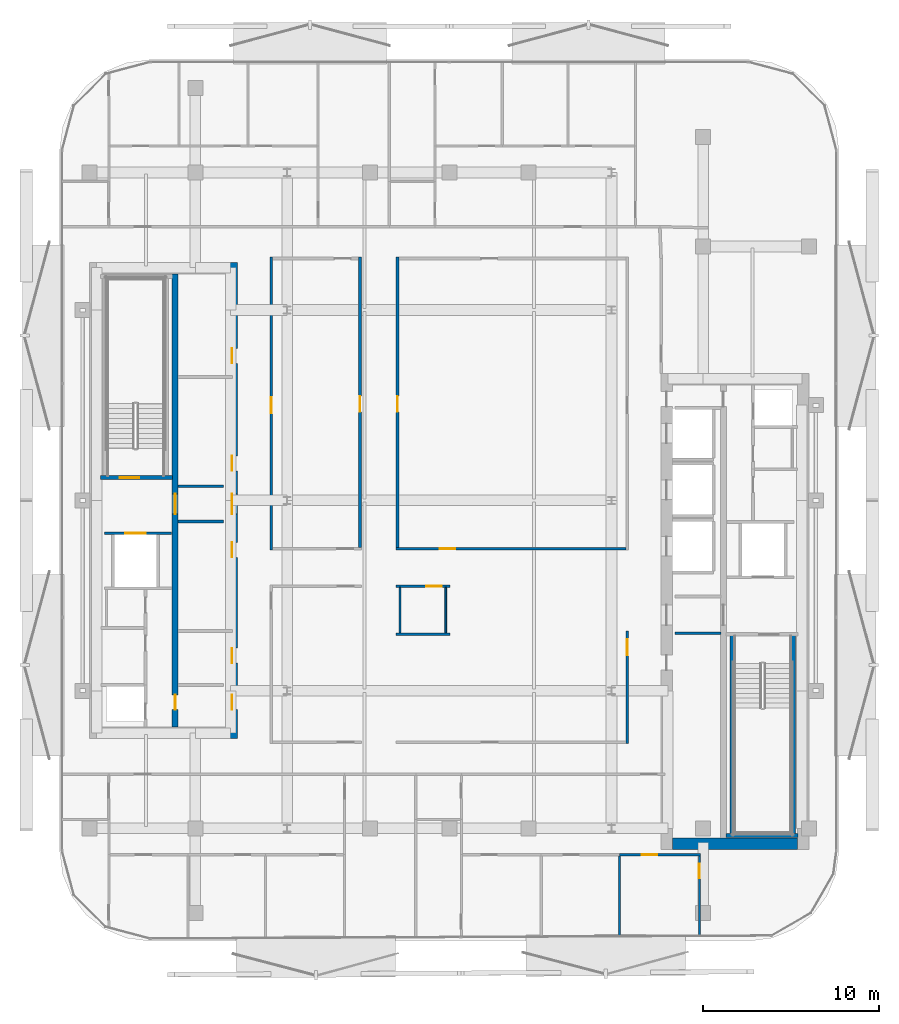
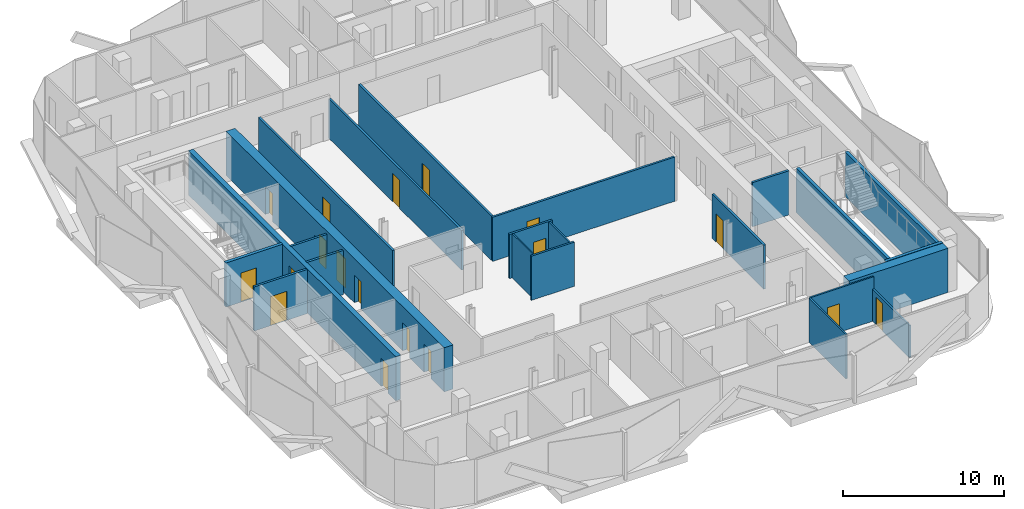
# One storey, part 4 of 14: 23 walls, 18 doors, 18 openings.
"""IFC4 building model written with IfcOpenShell, lengths in metres."""

from ifc_helpers import new_model, si_unit, direction, frame, frame_2d, origin, place, context, subcontext, project, spatial, rectangle, extrude, material, layer, layer_set, type_object, element, fill, save


model = new_model("IFC4")

# Units and contexts
model_context = context("Model", 3, precision=1e-05, world=origin(), true_north=direction((0.0, 1.0)))
body_context = subcontext(model_context, "Body", "Model", "MODEL_VIEW")
ifc_project = project(units=[si_unit("LENGTHUNIT", "METRE"), si_unit("AREAUNIT", "SQUARE_METRE"), si_unit("VOLUMEUNIT", "CUBIC_METRE"), si_unit("PLANEANGLEUNIT", "RADIAN"), si_unit("MASSUNIT", "GRAM", prefix="KILO")], contexts=[model_context])

# Site, building, storey
site_placement = place(None, origin())
site = spatial("IfcSite", under=ifc_project, at=site_placement, CompositionType="ELEMENT")
building_placement = place(site_placement, origin())
building = spatial("IfcBuilding", under=site, at=building_placement, Name="Khairoan Windgate Tower", CompositionType="ELEMENT")
storey_placement = place(building_placement, frame((0.0, 0.0, 229.60009765625)))
storey = spatial("IfcBuildingStorey", under=building, at=storey_placement, Name="L53", CompositionType="ELEMENT", Elevation=229.60009765625)

# Walls
ifc_material_1 = material(Name="Moisture-Resistant Gypsum Partition", Category="gypsum")
ifc_layer_1 = layer(ifc_material_1, 0.10009765625, Name="Moisture-Resistant Gypsum Partition")
ifc_layer_set_1 = layer_set([ifc_layer_1], Name="Moisture-Resistant Gypsum Partition")
wall_type_1 = type_object("IfcWallType", Name="Bathroom Wet-Area Partition Wall", PredefinedType="PARTITIONING", material=ifc_layer_set_1)
for number, where, z_axis, x_axis, name in (
    (1, (-0.199951171875, -4.93994140625, 0.0), (0.0, 0.0, 1.0), (0.0, -1.0, 0.0), "L53 Wet Room Side Wall 091"),
    (2, (-2.7900390625, -7.510009765625, 0.0), (0.0, 0.0, 1.0), (0.0, 1.0, 0.0), "L53 Wet Room Side Wall 092"),
):
    element("IfcWall", number, at=place(storey_placement, frame(where, z_axis=z_axis, x_axis=x_axis)), inside=storey, type_object=wall_type_1, Name=name, PredefinedType="PARTITIONING", context=body_context, shape_type="SweptSolid", body=[
        extrude(rectangle(XDim=2.570068359375, YDim=0.10009765625, at=frame_2d((1.28515625, 0.0))), origin(), (0.0, 0.0, 1.0), 3.33984375),
    ])

# Wall, opening, door
ifc_material_2 = material(Name="Concrete C40/50", Category="concrete")
ifc_layer_2 = layer(ifc_material_2, 0.159912109375, Name="Concrete C40/50")
ifc_layer_set_2 = layer_set([ifc_layer_2], Name="Concrete C40/50")
wall_type_2 = type_object("IfcWallType", Name="Core and Hoistway Enclosure Wall", PredefinedType="STANDARD", material=ifc_layer_set_2)
wall_1_placement = place(storey_placement, frame((-19.550048828125, -1.860107421875, 0.0), z_axis=(0.0, 0.0, 1.0), x_axis=(1.0, 0.0, 0.0)))
wall_1 = element("IfcWall", 3, at=wall_1_placement, inside=storey, type_object=wall_type_2, Name="L53 Core Shaft Wall SW-FL2-L53", PredefinedType="STANDARD", context=body_context, shape_type="SweptSolid", body=[
    extrude(rectangle(XDim=3.800048828125, YDim=0.159912109375, at=frame_2d((1.89990234375, 0.0))), origin(), (0.0, 0.0, 1.0), 3.33984375),
])
opening_1_placement = place(wall_1_placement, frame((1.179931640625, 0.0, 0.0)))
opening_1 = element("IfcOpeningElement", 4, at=opening_1_placement, cuts=wall_1, Name="Opening LD-FL", PredefinedType="OPENING", context=body_context, shape_type="SweptSolid", body=[
    extrude(rectangle(XDim=1.14990234375, YDim=2.199951171875, at=frame_2d((0.574951171875, 1.10009765625))), frame((0.0, 0.08984375, 0.0), z_axis=(0.0, -1.0, 0.0), x_axis=(1.0, 0.0, 0.0)), (0.0, 0.0, 1.0), 0.179931640625),
])
ifc_material_3 = material(Name="Steel S355", Category="steel")
door_type_1 = type_object("IfcDoorType", Name="Firefighting Lift Sliding Landing Door LD-FL 1150x2200", OperationType="DOUBLE_DOOR_SLIDING", PredefinedType="DOOR", material=ifc_material_3)
door_1_placement = place(opening_1_placement, origin())
door_1 = element("IfcDoor", 5, at=door_1_placement, inside=storey, type_object=door_type_1, Name="L53 Firefighting Lift FL2 Landing Door", OperationType="DOUBLE_DOOR_SLIDING", OverallHeight=2.199951171875, OverallWidth=1.14990234375, PredefinedType="DOOR", context=body_context, shape_type="SweptSolid", body=[
    extrude(rectangle(XDim=1.14990234375, YDim=2.199951171875, at=frame_2d((0.574951171875, 1.10009765625))), frame((0.0, 0.02490234375, 0.0), z_axis=(0.0, -1.0, 0.0), x_axis=(1.0, 0.0, 0.0)), (0.0, 0.0, 1.0), 0.050048828125),
])
fill(opening_1, door_1)

# Walls
for number, where, z_axis, x_axis, name in (
    (6, (-15.39990234375, 0.800048828125, 0.0), (0.0, 0.0, 1.0), (1.0, 0.0, 0.0), "L53 Core Shaft Wall SW-WV1-L53"),
    (7, (-15.39990234375, -1.199951171875, 0.0), (0.0, 0.0, 1.0), (1.0, 0.0, 0.0), "L53 Core Shaft Wall SW-WV2-L53"),
    (8, (12.800048828125, -7.5400390625, 0.0), (0.0, 0.0, 1.0), (1.0, 0.0, 0.0), "L53 Core Shaft Wall SW-EV2-L53"),
):
    element("IfcWall", number, at=place(storey_placement, frame(where, z_axis=z_axis, x_axis=x_axis)), inside=storey, type_object=wall_type_2, Name=name, PredefinedType="STANDARD", context=body_context, shape_type="SweptSolid", body=[
        extrude(rectangle(XDim=2.599853515625, YDim=0.159912109375, at=frame_2d((1.2998046875, 0.0))), origin(), (0.0, 0.0, 1.0), 3.33984375),
    ])
ifc_material_4 = material(Name="Acoustic Fire-Rated Gypsum Partition", Category="gypsum")
ifc_layer_3 = layer(ifc_material_4, 0.139892578125, Name="Acoustic Fire-Rated Gypsum Partition")
ifc_layer_set_3 = layer_set([ifc_layer_3], Name="Acoustic Fire-Rated Gypsum Partition")
wall_type_3 = type_object("IfcWallType", Name="Inter-Tenancy Compartment Wall", PredefinedType="PARTITIONING", material=ifc_layer_set_3)
wall_2_placement = place(storey_placement, frame((-3.030029296875, -7.580078125, 0.0), z_axis=(0.0, 0.0, 1.0), x_axis=(1.0, 0.0, 0.0)))
element("IfcWall", 9, at=wall_2_placement, inside=storey, type_object=wall_type_3, Name="L53 Interior Partition 088", PredefinedType="PARTITIONING", context=body_context, shape_type="SweptSolid", body=[
    extrude(rectangle(XDim=3.070068359375, YDim=0.139892578125, at=frame_2d((1.53515625, 0.0))), origin(), (0.0, 0.0, 1.0), 3.33984375),
])

# Wall, opening, door
ifc_material_5 = material(Name="Gypsum Stud Partition", Category="gypsum")
ifc_layer_4 = layer(ifc_material_5, 0.1201171875, Name="Gypsum Stud Partition")
ifc_layer_set_4 = layer_set([ifc_layer_4], Name="Gypsum Stud Partition")
wall_type_4 = type_object("IfcWallType", Name="Internal Room Partition Wall", PredefinedType="PARTITIONING", material=ifc_layer_set_4)
wall_3_placement = place(storey_placement, frame((9.6630859375, -20.10009765625, 0.0), z_axis=(0.0, 0.0, 1.0), x_axis=(1.0, 0.0, 0.0)))
wall_3 = element("IfcWall", 10, at=wall_3_placement, inside=storey, type_object=wall_type_4, Name="L53 Interior Partition 084", PredefinedType="PARTITIONING", context=body_context, shape_type="SweptSolid", body=[
    extrude(rectangle(XDim=4.5869140625, YDim=0.1201171875, at=frame_2d((2.29345703125, 0.0))), origin(), (0.0, 0.0, 1.0), 3.33984375),
])
opening_2_placement = place(wall_3_placement, frame((1.261962890625, 0.0, 0.0)))
opening_2 = element("IfcOpeningElement", 11, at=opening_2_placement, cuts=wall_3, Name="Opening ID-RM", PredefinedType="OPENING", context=body_context, shape_type="SweptSolid", body=[
    extrude(rectangle(XDim=0.860107421875, YDim=2.14990234375, at=frame_2d((0.43017578125, 1.074951171875))), frame((0.0, 0.070068359375, 0.0), z_axis=(0.0, -1.0, 0.0), x_axis=(1.0, 0.0, 0.0)), (0.0, 0.0, 1.0), 0.14013671875),
])
ifc_material_6 = material(Name="Teak Veneer Timber Leaf", Category="wood")
door_type_2 = type_object("IfcDoorType", Name="Internal Bedroom and Office Door ID-RM 860x2150", OperationType="NOTDEFINED", PredefinedType="DOOR", material=ifc_material_6)
door_2_placement = place(opening_2_placement, origin())
door_2 = element("IfcDoor", 12, at=door_2_placement, inside=storey, type_object=door_type_2, Name="L53 L53-56-L53-60 Door", OperationType="SINGLE_SWING_RIGHT", OverallHeight=2.14990234375, OverallWidth=0.860107421875, PredefinedType="DOOR", context=body_context, shape_type="SweptSolid", body=[
    extrude(rectangle(XDim=0.860107421875, YDim=2.14990234375, at=frame_2d((0.43017578125, 1.074951171875))), frame((0.0, 0.02490234375, 0.0), z_axis=(0.0, -1.0, 0.0), x_axis=(1.0, 0.0, 0.0)), (0.0, 0.0, 1.0), 0.050048828125),
])
fill(opening_2, door_2)

wall_4_placement = place(storey_placement, frame((14.18994140625, -24.70458984375, 0.0), z_axis=(0.0, 0.0, 1.0), x_axis=(0.0, 1.0, 0.0)))
wall_4 = element("IfcWall", 13, at=wall_4_placement, inside=storey, type_object=wall_type_4, Name="L53 Interior Partition 085", PredefinedType="PARTITIONING", context=body_context, shape_type="SweptSolid", body=[
    extrude(rectangle(XDim=4.544677734375, YDim=0.1201171875, at=frame_2d((2.2724609375, 0.0))), origin(), (0.0, 0.0, 1.0), 2.43994140625),
])
opening_3_placement = place(wall_4_placement, frame((3.28466796875, 0.0, 0.0)))
opening_3 = element("IfcOpeningElement", 14, at=opening_3_placement, cuts=wall_4, Name="Opening ID-BTH", PredefinedType="OPENING", context=body_context, shape_type="SweptSolid", body=[
    extrude(rectangle(XDim=0.800048828125, YDim=2.10009765625, at=frame_2d((0.39990234375, 1.050048828125))), frame((0.0, 0.070068359375, 0.0), z_axis=(0.0, -1.0, 0.0), x_axis=(1.0, 0.0, 0.0)), (0.0, 0.0, 1.0), 0.14013671875),
])
ifc_material_7 = material(Name="Teak Veneer Timber Leaf", Category="wood")
door_type_3 = type_object("IfcDoorType", Name="Internal Bathroom Door ID-BTH 800x2100", OperationType="NOTDEFINED", PredefinedType="DOOR", material=ifc_material_7)
door_3_placement = place(opening_3_placement, origin())
door_3 = element("IfcDoor", 15, at=door_3_placement, inside=storey, type_object=door_type_3, Name="L53 L53-57-L53-60 Door", OperationType="SINGLE_SWING_LEFT", OverallHeight=2.10009765625, OverallWidth=0.800048828125, PredefinedType="DOOR", context=body_context, shape_type="SweptSolid", body=[
    extrude(rectangle(XDim=0.800048828125, YDim=2.10009765625, at=frame_2d((0.39990234375, 1.050048828125))), frame((0.0, 0.02490234375, 0.0), z_axis=(0.0, -1.0, 0.0), x_axis=(1.0, 0.0, 0.0)), (0.0, 0.0, 1.0), 0.050048828125),
])
fill(opening_3, door_3)

# Wall
wall_5_placement = place(storey_placement, frame((9.6630859375, -24.726318359375, 0.0), z_axis=(0.0, 0.0, 1.0), x_axis=(0.0, 1.0, 0.0)))
element("IfcWall", 16, at=wall_5_placement, inside=storey, type_object=wall_type_4, Name="L53 Interior Partition 087", PredefinedType="PARTITIONING", context=body_context, shape_type="SweptSolid", body=[
    extrude(rectangle(XDim=4.56640625, YDim=0.1201171875, at=frame_2d((2.283203125, 0.0))), origin(), (0.0, 0.0, 1.0), 3.33984375),
])

# Wall, opening, door
ifc_material_8 = material(Name="Acoustic Fire-Rated Gypsum Partition", Category="gypsum")
ifc_layer_5 = layer(ifc_material_8, 0.14990234375, Name="Acoustic Fire-Rated Gypsum Partition")
ifc_layer_set_5 = layer_set([ifc_layer_5], Name="Acoustic Fire-Rated Gypsum Partition")
wall_type_5 = type_object("IfcWallType", Name="Rated Corridor Partition Wall", PredefinedType="PARTITIONING", material=ifc_layer_set_5)
wall_6_placement = place(storey_placement, frame((-10.10009765625, -2.81005859375, 0.0), z_axis=(0.0, 0.0, 1.0), x_axis=(0.0, 1.0, 0.0)))
wall_6 = element("IfcWall", 17, at=wall_6_placement, inside=storey, type_object=wall_type_5, Name="L53 Interior Partition 013", PredefinedType="PARTITIONING", context=body_context, shape_type="SweptSolid", body=[
    extrude(rectangle(XDim=16.60498046875, YDim=0.14990234375, at=frame_2d((8.302490234375, 0.0))), origin(), (0.0, 0.0, 1.0), 3.33984375),
])
opening_4_placement = place(wall_6_placement, frame((7.751220703125, 0.0, 0.0)))
opening_4 = element("IfcOpeningElement", 18, at=opening_4_placement, cuts=wall_6, Name="Opening FD-ENT", PredefinedType="OPENING", context=body_context, shape_type="SweptSolid", body=[
    extrude(rectangle(XDim=0.89990234375, YDim=2.14990234375, at=frame_2d((0.449951171875, 1.074951171875))), frame((0.0, 0.0849609375, 0.0), z_axis=(0.0, -1.0, 0.0), x_axis=(1.0, 0.0, 0.0)), (0.0, 0.0, 1.0), 0.169921875),
])
ifc_material_9 = material(Name="Timber Fire-Rated Core", Category="wood")
door_type_4 = type_object("IfcDoorType", Name="Unit and Office Fire Entrance Door FD-ENT 900x2150", OperationType="NOTDEFINED", PredefinedType="DOOR", material=ifc_material_9)
door_4_placement = place(opening_4_placement, origin())
door_4 = element("IfcDoor", 19, at=door_4_placement, inside=storey, type_object=door_type_4, Name="L53 L53-27-L53-62 Door", OperationType="SINGLE_SWING_RIGHT", OverallHeight=2.14990234375, OverallWidth=0.89990234375, PredefinedType="DOOR", context=body_context, shape_type="SweptSolid", body=[
    extrude(rectangle(XDim=0.89990234375, YDim=2.14990234375, at=frame_2d((0.449951171875, 1.074951171875))), frame((0.0, 0.02490234375, 0.0), z_axis=(0.0, -1.0, 0.0), x_axis=(1.0, 0.0, 0.0)), (0.0, 0.0, 1.0), 0.050048828125),
])
fill(opening_4, door_4)

wall_7_placement = place(storey_placement, frame((10.10009765625, -13.794921875, 0.0), z_axis=(0.0, 0.0, 1.0), x_axis=(0.0, 1.0, 0.0)))
wall_7 = element("IfcWall", 20, at=wall_7_placement, inside=storey, type_object=wall_type_5, Name="L53 Interior Partition 017", PredefinedType="PARTITIONING", context=body_context, shape_type="SweptSolid", body=[
    extrude(rectangle(XDim=6.375, YDim=0.14990234375, at=frame_2d((3.1875, 0.0))), origin(), (0.0, 0.0, 1.0), 3.33984375),
])
opening_5_placement = place(wall_7_placement, frame((5.014892578125, 0.0, 0.0)))
opening_5 = element("IfcOpeningElement", 21, at=opening_5_placement, cuts=wall_7, Name="Opening FD-ENT", PredefinedType="OPENING", context=body_context, shape_type="SweptSolid", body=[
    extrude(rectangle(XDim=0.89990234375, YDim=2.14990234375, at=frame_2d((0.449951171875, 1.074951171875))), frame((0.0, 0.0849609375, 0.0), z_axis=(0.0, -1.0, 0.0), x_axis=(1.0, 0.0, 0.0)), (0.0, 0.0, 1.0), 0.169921875),
])
door_5_placement = place(opening_5_placement, origin())
door_5 = element("IfcDoor", 22, at=door_5_placement, inside=storey, type_object=door_type_4, Name="L53 L53-28-L53-66 Door", OperationType="SINGLE_SWING_RIGHT", OverallHeight=2.14990234375, OverallWidth=0.89990234375, PredefinedType="DOOR", context=body_context, shape_type="SweptSolid", body=[
    extrude(rectangle(XDim=0.89990234375, YDim=2.14990234375, at=frame_2d((0.449951171875, 1.074951171875))), frame((0.0, 0.02490234375, 0.0), z_axis=(0.0, -1.0, 0.0), x_axis=(1.0, 0.0, 0.0)), (0.0, 0.0, 1.0), 0.050048828125),
])
fill(opening_5, door_5)

wall_8_placement = place(storey_placement, frame((-3.010009765625, -2.735107421875, 0.0), z_axis=(0.0, 0.0, 1.0), x_axis=(1.0, 0.0, 0.0)))
wall_8 = element("IfcWall", 23, at=wall_8_placement, inside=storey, type_object=wall_type_5, Name="L53 Interior Partition 020", PredefinedType="PARTITIONING", context=body_context, shape_type="SweptSolid", body=[
    extrude(rectangle(XDim=13.034912109375, YDim=0.14990234375, at=frame_2d((6.517578125, 0.0))), origin(), (0.0, 0.0, 1.0), 3.33984375),
])
opening_6_placement = place(wall_8_placement, frame((2.462646484375, 0.0, 0.0)))
opening_6 = element("IfcOpeningElement", 24, at=opening_6_placement, cuts=wall_8, Name="Opening FD-ENT", PredefinedType="OPENING", context=body_context, shape_type="SweptSolid", body=[
    extrude(rectangle(XDim=0.89990234375, YDim=2.14990234375, at=frame_2d((0.449951171875, 1.074951171875))), frame((0.0, 0.0849609375, 0.0), z_axis=(0.0, -1.0, 0.0), x_axis=(1.0, 0.0, 0.0)), (0.0, 0.0, 1.0), 0.169921875),
])
door_6_placement = place(opening_6_placement, origin())
door_6 = element("IfcDoor", 25, at=door_6_placement, inside=storey, type_object=door_type_4, Name="L53 L53-29-L53-64 Door", OperationType="SINGLE_SWING_LEFT", OverallHeight=2.14990234375, OverallWidth=0.89990234375, PredefinedType="DOOR", context=body_context, shape_type="SweptSolid", body=[
    extrude(rectangle(XDim=0.89990234375, YDim=2.14990234375, at=frame_2d((0.449951171875, 1.074951171875))), frame((0.0, 0.02490234375, 0.0), z_axis=(0.0, -1.0, 0.0), x_axis=(1.0, 0.0, 0.0)), (0.0, 0.0, 1.0), 0.050048828125),
])
fill(opening_6, door_6)

wall_9_placement = place(storey_placement, frame((-3.030029296875, -4.864990234375, 0.0), z_axis=(0.0, 0.0, 1.0), x_axis=(1.0, 0.0, 0.0)))
wall_9 = element("IfcWall", 26, at=wall_9_placement, inside=storey, type_object=wall_type_5, Name="L53 Interior Partition 021", PredefinedType="PARTITIONING", context=body_context, shape_type="SweptSolid", body=[
    extrude(rectangle(XDim=3.070068359375, YDim=0.14990234375, at=frame_2d((1.53515625, 0.0))), origin(), (0.0, 0.0, 1.0), 3.33984375),
])
opening_7_placement = place(wall_9_placement, frame((1.7099609375, 0.0, 0.0)))
opening_7 = element("IfcOpeningElement", 27, at=opening_7_placement, cuts=wall_9, Name="Opening FD-ENT", PredefinedType="OPENING", context=body_context, shape_type="SweptSolid", body=[
    extrude(rectangle(XDim=0.89990234375, YDim=2.14990234375, at=frame_2d((0.449951171875, 1.074951171875))), frame((0.0, 0.0849609375, 0.0), z_axis=(0.0, -1.0, 0.0), x_axis=(1.0, 0.0, 0.0)), (0.0, 0.0, 1.0), 0.169921875),
])
door_7_placement = place(opening_7_placement, origin())
door_7 = element("IfcDoor", 28, at=door_7_placement, inside=storey, type_object=door_type_4, Name="L53 L53-29-L53-65 Door", OperationType="SINGLE_SWING_RIGHT", OverallHeight=2.14990234375, OverallWidth=0.89990234375, PredefinedType="DOOR", context=body_context, shape_type="SweptSolid", body=[
    extrude(rectangle(XDim=0.89990234375, YDim=2.14990234375, at=frame_2d((0.449951171875, 1.074951171875))), frame((0.0, 0.02490234375, 0.0), z_axis=(0.0, -1.0, 0.0), x_axis=(1.0, 0.0, 0.0)), (0.0, 0.0, 1.0), 0.050048828125),
])
fill(opening_7, door_7)

wall_10_placement = place(storey_placement, frame((-5.06494140625, -2.659912109375, 0.0), z_axis=(0.0, 0.0, 1.0), x_axis=(0.0, 1.0, 0.0)))
wall_10 = element("IfcWall", 29, at=wall_10_placement, inside=storey, type_object=wall_type_5, Name="L53 Interior Partition 022", PredefinedType="PARTITIONING", context=body_context, shape_type="SweptSolid", body=[
    extrude(rectangle(XDim=16.454833984375, YDim=0.14990234375, at=frame_2d((8.2275390625, 0.0))), origin(), (0.0, 0.0, 1.0), 2.989990234375),
])
opening_8_placement = place(wall_10_placement, frame((7.67724609375, 0.0, 0.0)))
opening_8 = element("IfcOpeningElement", 30, at=opening_8_placement, cuts=wall_10, Name="Opening FD-ENT", PredefinedType="OPENING", context=body_context, shape_type="SweptSolid", body=[
    extrude(rectangle(XDim=0.89990234375, YDim=2.14990234375, at=frame_2d((0.449951171875, 1.074951171875))), frame((0.0, 0.0849609375, 0.0), z_axis=(0.0, -1.0, 0.0), x_axis=(1.0, 0.0, 0.0)), (0.0, 0.0, 1.0), 0.169921875),
])
door_8_placement = place(opening_8_placement, origin())
door_8 = element("IfcDoor", 31, at=door_8_placement, inside=storey, type_object=door_type_4, Name="L53 L53-30-L53-62 Door", OperationType="SINGLE_SWING_LEFT", OverallHeight=2.14990234375, OverallWidth=0.89990234375, PredefinedType="DOOR", context=body_context, shape_type="SweptSolid", body=[
    extrude(rectangle(XDim=0.89990234375, YDim=2.14990234375, at=frame_2d((0.449951171875, 1.074951171875))), frame((0.0, 0.02490234375, 0.0), z_axis=(0.0, -1.0, 0.0), x_axis=(1.0, 0.0, 0.0)), (0.0, 0.0, 1.0), 0.050048828125),
])
fill(opening_8, door_8)

wall_11_placement = place(storey_placement, frame((-2.93505859375, -2.659912109375, 0.0), z_axis=(0.0, 0.0, 1.0), x_axis=(0.0, 1.0, 0.0)))
wall_11 = element("IfcWall", 32, at=wall_11_placement, inside=storey, type_object=wall_type_5, Name="L53 Interior Partition 023", PredefinedType="PARTITIONING", context=body_context, shape_type="SweptSolid", body=[
    extrude(rectangle(XDim=16.454833984375, YDim=0.14990234375, at=frame_2d((8.2275390625, 0.0))), origin(), (0.0, 0.0, 1.0), 3.33984375),
])
opening_9_placement = place(wall_11_placement, frame((7.67724609375, 0.0, 0.0)))
opening_9 = element("IfcOpeningElement", 33, at=opening_9_placement, cuts=wall_11, Name="Opening FD-ENT", PredefinedType="OPENING", context=body_context, shape_type="SweptSolid", body=[
    extrude(rectangle(XDim=0.89990234375, YDim=2.14990234375, at=frame_2d((0.449951171875, 1.074951171875))), frame((0.0, 0.0849609375, 0.0), z_axis=(0.0, -1.0, 0.0), x_axis=(1.0, 0.0, 0.0)), (0.0, 0.0, 1.0), 0.169921875),
])
door_9_placement = place(opening_9_placement, origin())
door_9 = element("IfcDoor", 34, at=door_9_placement, inside=storey, type_object=door_type_4, Name="L53 L53-30-L53-64 Door", OperationType="SINGLE_SWING_RIGHT", OverallHeight=2.14990234375, OverallWidth=0.89990234375, PredefinedType="DOOR", context=body_context, shape_type="SweptSolid", body=[
    extrude(rectangle(XDim=0.89990234375, YDim=2.14990234375, at=frame_2d((0.449951171875, 1.074951171875))), frame((0.0, 0.02490234375, 0.0), z_axis=(0.0, -1.0, 0.0), x_axis=(1.0, 0.0, 0.0)), (0.0, 0.0, 1.0), 0.050048828125),
])
fill(opening_9, door_9)

# Wall
ifc_material_10 = material(Name="Concrete C60/75", Category="concrete")
ifc_layer_6 = layer(ifc_material_10, 0.64990234375, Name="Concrete C60/75")
ifc_layer_set_6 = layer_set([ifc_layer_6], Name="Concrete C60/75")
wall_type_6 = type_object("IfcWallType", Name="Shear Wall CW-E2 650mm", PredefinedType="SHEAR", material=ifc_layer_set_6)
wall_12_placement = place(storey_placement, frame((12.64990234375, -19.47509765625, 0.0), z_axis=(0.0, 0.0, 1.0), x_axis=(1.0, 0.0, 0.0)))
element("IfcWall", 35, at=wall_12_placement, inside=storey, type_object=wall_type_6, Name="E Core South Shear Wall L53", PredefinedType="SHEAR", context=body_context, shape_type="SweptSolid", body=[
    extrude(rectangle(XDim=7.10009765625, YDim=0.64990234375, at=frame_2d((3.550048828125, 0.0))), origin(), (0.0, 0.0, 1.0), 3.33984375),
])

# Wall, openings, doors
ifc_material_11 = material(Name="Concrete C60/75", Category="concrete")
ifc_layer_7 = layer(ifc_material_11, 0.64990234375, Name="Concrete C60/75")
ifc_layer_set_7 = layer_set([ifc_layer_7], Name="Concrete C60/75")
wall_type_7 = type_object("IfcWallType", Name="Shear Wall CW-W2 650mm", PredefinedType="SHEAR", material=ifc_layer_set_7)
wall_13_placement = place(storey_placement, frame((-12.324951171875, -13.5, 0.0), z_axis=(0.0, 0.0, 1.0), x_axis=(0.0, 1.0, 0.0)))
wall_13 = element("IfcWall", 36, at=wall_13_placement, inside=storey, type_object=wall_type_7, Name="W Core East Shear Wall L53", PredefinedType="SHEAR", context=body_context, shape_type="SweptSolid", body=[
    extrude(rectangle(XDim=27.0, YDim=0.64990234375, at=frame_2d((13.5, 0.0))), origin(), (0.0, 0.0, 1.0), 3.33984375),
])
opening_10_placement = place(wall_13_placement, frame((15.175048828125, 0.0, 0.0)))
opening_10 = element("IfcOpeningElement", 37, at=opening_10_placement, cuts=wall_13, Name="Opening FD-SRV", PredefinedType="OPENING", context=body_context, shape_type="SweptSolid", body=[
    extrude(rectangle(XDim=0.85009765625, YDim=2.10009765625, at=frame_2d((0.425048828125, 1.050048828125))), frame((0.0, 0.3349609375, 0.0), z_axis=(0.0, -1.0, 0.0), x_axis=(1.0, 0.0, 0.0)), (0.0, 0.0, 1.0), 0.669921875),
])
opening_11_placement = place(wall_13_placement, frame((21.27490234375, 0.0, 0.0)))
opening_11 = element("IfcOpeningElement", 38, at=opening_11_placement, cuts=wall_13, Name="Opening FD-SRV", PredefinedType="OPENING", context=body_context, shape_type="SweptSolid", body=[
    extrude(rectangle(XDim=0.85009765625, YDim=2.10009765625, at=frame_2d((0.425048828125, 1.050048828125))), frame((0.0, 0.3349609375, 0.0), z_axis=(0.0, -1.0, 0.0), x_axis=(1.0, 0.0, 0.0)), (0.0, 0.0, 1.0), 0.669921875),
])
opening_12_placement = place(wall_13_placement, frame((4.27490234375, 0.0, 0.0)))
opening_12 = element("IfcOpeningElement", 39, at=opening_12_placement, cuts=wall_13, Name="Opening FD-SRV", PredefinedType="OPENING", context=body_context, shape_type="SweptSolid", body=[
    extrude(rectangle(XDim=0.85009765625, YDim=2.10009765625, at=frame_2d((0.425048828125, 1.050048828125))), frame((0.0, 0.3349609375, 0.0), z_axis=(0.0, -1.0, 0.0), x_axis=(1.0, 0.0, 0.0)), (0.0, 0.0, 1.0), 0.669921875),
])
opening_13_placement = place(wall_13_placement, frame((10.27490234375, 0.0, 0.0)))
opening_13 = element("IfcOpeningElement", 40, at=opening_13_placement, cuts=wall_13, Name="Opening FD-SRV", PredefinedType="OPENING", context=body_context, shape_type="SweptSolid", body=[
    extrude(rectangle(XDim=0.85009765625, YDim=2.10009765625, at=frame_2d((0.425048828125, 1.050048828125))), frame((0.0, 0.3349609375, 0.0), z_axis=(0.0, -1.0, 0.0), x_axis=(1.0, 0.0, 0.0)), (0.0, 0.0, 1.0), 0.669921875),
])
opening_14_placement = place(wall_13_placement, frame((12.72509765625, 0.0, 0.0)))
opening_14 = element("IfcOpeningElement", 41, at=opening_14_placement, cuts=wall_13, Name="Opening FD-FFL", PredefinedType="OPENING", context=body_context, shape_type="SweptSolid", body=[
    extrude(rectangle(XDim=1.14990234375, YDim=2.199951171875, at=frame_2d((0.574951171875, 1.10009765625))), frame((0.0, 0.3349609375, 0.0), z_axis=(0.0, -1.0, 0.0), x_axis=(1.0, 0.0, 0.0)), (0.0, 0.0, 1.0), 0.669921875),
])
opening_15_placement = place(wall_13_placement, frame((1.625, 0.0, 0.0)))
opening_15 = element("IfcOpeningElement", 42, at=opening_15_placement, cuts=wall_13, Name="Opening FD-SRV", PredefinedType="OPENING", context=body_context, shape_type="SweptSolid", body=[
    extrude(rectangle(XDim=0.85009765625, YDim=2.10009765625, at=frame_2d((0.425048828125, 1.050048828125))), frame((0.0, 0.3349609375, 0.0), z_axis=(0.0, -1.0, 0.0), x_axis=(1.0, 0.0, 0.0)), (0.0, 0.0, 1.0), 0.669921875),
])
ifc_material_12 = material(Name="Steel S355", Category="steel")
door_type_5 = type_object("IfcDoorType", Name="Core Service and Riser Fire Door FD-SRV 850x2100", OperationType="NOTDEFINED", PredefinedType="DOOR", material=ifc_material_12)
door_10_placement = place(opening_10_placement, origin())
door_10 = element("IfcDoor", 43, at=door_10_placement, inside=storey, type_object=door_type_5, Name="L53 Upper Core Room Door B1-1", OperationType="SINGLE_SWING_LEFT", OverallHeight=2.10009765625, OverallWidth=0.85009765625, PredefinedType="DOOR", context=body_context, shape_type="SweptSolid", body=[
    extrude(rectangle(XDim=0.85009765625, YDim=2.10009765625, at=frame_2d((0.425048828125, 1.050048828125))), frame((0.0, 0.02490234375, 0.0), z_axis=(0.0, -1.0, 0.0), x_axis=(1.0, 0.0, 0.0)), (0.0, 0.0, 1.0), 0.050048828125),
])
fill(opening_10, door_10)
door_11_placement = place(opening_11_placement, origin())
door_11 = element("IfcDoor", 44, at=door_11_placement, inside=storey, type_object=door_type_5, Name="L53 Upper Core Room Door B1-2", OperationType="SINGLE_SWING_RIGHT", OverallHeight=2.10009765625, OverallWidth=0.85009765625, PredefinedType="DOOR", context=body_context, shape_type="SweptSolid", body=[
    extrude(rectangle(XDim=0.85009765625, YDim=2.10009765625, at=frame_2d((0.425048828125, 1.050048828125))), frame((0.0, 0.02490234375, 0.0), z_axis=(0.0, -1.0, 0.0), x_axis=(1.0, 0.0, 0.0)), (0.0, 0.0, 1.0), 0.050048828125),
])
fill(opening_11, door_11)
door_12_placement = place(opening_12_placement, origin())
door_12 = element("IfcDoor", 45, at=door_12_placement, inside=storey, type_object=door_type_5, Name="L53 Upper Core Room Door B2-1", OperationType="SINGLE_SWING_LEFT", OverallHeight=2.10009765625, OverallWidth=0.85009765625, PredefinedType="DOOR", context=body_context, shape_type="SweptSolid", body=[
    extrude(rectangle(XDim=0.85009765625, YDim=2.10009765625, at=frame_2d((0.425048828125, 1.050048828125))), frame((0.0, 0.02490234375, 0.0), z_axis=(0.0, -1.0, 0.0), x_axis=(1.0, 0.0, 0.0)), (0.0, 0.0, 1.0), 0.050048828125),
])
fill(opening_12, door_12)
door_13_placement = place(opening_13_placement, origin())
door_13 = element("IfcDoor", 46, at=door_13_placement, inside=storey, type_object=door_type_5, Name="L53 Upper Core Room Door B2-2", OperationType="SINGLE_SWING_RIGHT", OverallHeight=2.10009765625, OverallWidth=0.85009765625, PredefinedType="DOOR", context=body_context, shape_type="SweptSolid", body=[
    extrude(rectangle(XDim=0.85009765625, YDim=2.10009765625, at=frame_2d((0.425048828125, 1.050048828125))), frame((0.0, 0.02490234375, 0.0), z_axis=(0.0, -1.0, 0.0), x_axis=(1.0, 0.0, 0.0)), (0.0, 0.0, 1.0), 0.050048828125),
])
fill(opening_13, door_13)
door_14_placement = place(opening_15_placement, origin())
door_14 = element("IfcDoor", 47, at=door_14_placement, inside=storey, type_object=door_type_5, Name="L53 West Core Service Vestibule Outer Door", OperationType="SINGLE_SWING_RIGHT", OverallHeight=2.10009765625, OverallWidth=0.85009765625, PredefinedType="DOOR", context=body_context, shape_type="SweptSolid", body=[
    extrude(rectangle(XDim=0.85009765625, YDim=2.10009765625, at=frame_2d((0.425048828125, 1.050048828125))), frame((0.0, 0.02490234375, 0.0), z_axis=(0.0, -1.0, 0.0), x_axis=(1.0, 0.0, 0.0)), (0.0, 0.0, 1.0), 0.050048828125),
])
fill(opening_15, door_14)
ifc_material_13 = material(Name="Steel S355", Category="steel")
door_type_6 = type_object("IfcDoorType", Name="Firefighting Lobby Fire Door FD-FFL 1150x2200", OperationType="NOTDEFINED", PredefinedType="DOOR", material=ifc_material_13)
door_15_placement = place(opening_14_placement, origin())
door_15 = element("IfcDoor", 48, at=door_15_placement, inside=storey, type_object=door_type_6, Name="L53 West Core Vestibule Entry Door", OperationType="SINGLE_SWING_RIGHT", OverallHeight=2.199951171875, OverallWidth=1.14990234375, PredefinedType="DOOR", context=body_context, shape_type="SweptSolid", body=[
    extrude(rectangle(XDim=1.14990234375, YDim=2.199951171875, at=frame_2d((0.574951171875, 1.10009765625))), frame((0.0, 0.02490234375, 0.0), z_axis=(0.0, -1.0, 0.0), x_axis=(1.0, 0.0, 0.0)), (0.0, 0.0, 1.0), 0.050048828125),
])
fill(opening_14, door_15)

ifc_material_14 = material(Name="Concrete C60/75", Category="concrete")
ifc_layer_8 = layer(ifc_material_14, 0.35009765625, Name="Concrete C60/75")
ifc_layer_set_8 = layer_set([ifc_layer_8], Name="Concrete C60/75")
wall_type_8 = type_object("IfcWallType", Name="Shear Wall SW-1 350mm", PredefinedType="SHEAR", material=ifc_layer_set_8)
wall_14_placement = place(storey_placement, frame((-15.550048828125, -12.85009765625, 0.0), z_axis=(0.0, 0.0, 1.0), x_axis=(0.0, 1.0, 0.0)))
wall_14 = element("IfcWall", 49, at=wall_14_placement, inside=storey, type_object=wall_type_8, Name="W Core Spine Shear Wall L53", PredefinedType="SHEAR", context=body_context, shape_type="SweptSolid", body=[
    extrude(rectangle(XDim=25.7001953125, YDim=0.35009765625, at=frame_2d((12.85009765625, 0.0))), origin(), (0.0, 0.0, 1.0), 3.33984375),
])
opening_16_placement = place(wall_14_placement, frame((12.074951171875, 0.0, 0.0)))
opening_16 = element("IfcOpeningElement", 50, at=opening_16_placement, cuts=wall_14, Name="Opening FD-FFL", PredefinedType="OPENING", context=body_context, shape_type="SweptSolid", body=[
    extrude(rectangle(XDim=1.14990234375, YDim=2.199951171875, at=frame_2d((0.574951171875, 1.10009765625))), frame((0.0, 0.18505859375, 0.0), z_axis=(0.0, -1.0, 0.0), x_axis=(1.0, 0.0, 0.0)), (0.0, 0.0, 1.0), 0.3701171875),
])
opening_17_placement = place(wall_14_placement, frame((0.97509765625, 0.0, 0.0)))
opening_17 = element("IfcOpeningElement", 51, at=opening_17_placement, cuts=wall_14, Name="Opening FD-SRV", PredefinedType="OPENING", context=body_context, shape_type="SweptSolid", body=[
    extrude(rectangle(XDim=0.85009765625, YDim=2.10009765625, at=frame_2d((0.425048828125, 1.050048828125))), frame((0.0, 0.18505859375, 0.0), z_axis=(0.0, -1.0, 0.0), x_axis=(1.0, 0.0, 0.0)), (0.0, 0.0, 1.0), 0.3701171875),
])
door_16_placement = place(opening_17_placement, origin())
door_16 = element("IfcDoor", 52, at=door_16_placement, inside=storey, type_object=door_type_5, Name="L53 West Core Service Passage Inner Door", OperationType="SINGLE_SWING_LEFT", OverallHeight=2.10009765625, OverallWidth=0.85009765625, PredefinedType="DOOR", context=body_context, shape_type="SweptSolid", body=[
    extrude(rectangle(XDim=0.85009765625, YDim=2.10009765625, at=frame_2d((0.425048828125, 1.050048828125))), frame((0.0, 0.02490234375, 0.0), z_axis=(0.0, -1.0, 0.0), x_axis=(1.0, 0.0, 0.0)), (0.0, 0.0, 1.0), 0.050048828125),
])
fill(opening_17, door_16)
door_17_placement = place(opening_16_placement, origin())
door_17 = element("IfcDoor", 53, at=door_17_placement, inside=storey, type_object=door_type_6, Name="L53 West Firefighting Lobby Fire Door", OperationType="SINGLE_SWING_LEFT", OverallHeight=2.199951171875, OverallWidth=1.14990234375, PredefinedType="DOOR", context=body_context, shape_type="SweptSolid", body=[
    extrude(rectangle(XDim=1.14990234375, YDim=2.199951171875, at=frame_2d((0.574951171875, 1.10009765625))), frame((0.0, 0.02490234375, 0.0), z_axis=(0.0, -1.0, 0.0), x_axis=(1.0, 0.0, 0.0)), (0.0, 0.0, 1.0), 0.050048828125),
])
fill(opening_16, door_17)

# Walls
ifc_material_15 = material(Name="Concrete C50/60", Category="concrete")
ifc_layer_9 = layer(ifc_material_15, 0.219970703125, Name="Concrete C50/60")
ifc_layer_set_9 = layer_set([ifc_layer_9], Name="Concrete C50/60")
wall_type_9 = type_object("IfcWallType", Name="Shear Wall SW-ST 220mm", PredefinedType="SHEAR", material=ifc_layer_set_9)
for number, where, z_axis, x_axis, name in (
    (54, (16.0400390625, -19.010009765625, 0.0), (0.0, 0.0, 1.0), (0.0, 1.0, 0.0), "L53 Stair ST1 West Bearing Wall"),
    (55, (19.530029296875, -19.010009765625, 0.0), (0.0, 0.0, 1.0), (0.0, 1.0, 0.0), "L53 Stair ST1 East Bearing Wall"),
):
    element("IfcWall", number, at=place(storey_placement, frame(where, z_axis=z_axis, x_axis=x_axis)), inside=storey, type_object=wall_type_9, Name=name, PredefinedType="SHEAR", context=body_context, shape_type="SweptSolid", body=[
        extrude(rectangle(XDim=11.419921875, YDim=0.219970703125, at=frame_2d((5.7099609375, 0.0))), origin(), (0.0, 0.0, 1.0), 3.33984375),
    ])
wall_15_placement = place(storey_placement, frame((15.705078125, -19.010009765625, 0.0), z_axis=(0.0, 0.0, 1.0), x_axis=(1.0, 0.0, 0.0)))
element("IfcWall", 56, at=wall_15_placement, inside=storey, type_object=wall_type_9, Name="L53 Stair ST1 South Bearing Wall", PredefinedType="SHEAR", context=body_context, shape_type="SweptSolid", body=[
    extrude(rectangle(XDim=4.06494140625, YDim=0.219970703125, at=frame_2d((2.032470703125, 0.0))), origin(), (0.0, 0.0, 1.0), 3.33984375),
])

# Wall, opening, door
wall_16_placement = place(storey_placement, frame((-19.77001953125, 1.2900390625, 0.0), z_axis=(0.0, 0.0, 1.0), x_axis=(1.0, 0.0, 0.0)))
wall_16 = element("IfcWall", 57, at=wall_16_placement, inside=storey, type_object=wall_type_9, Name="L53 Stair ST2 South Bearing Wall", PredefinedType="SHEAR", context=body_context, shape_type="SweptSolid", body=[
    extrude(rectangle(XDim=4.06494140625, YDim=0.219970703125, at=frame_2d((2.032470703125, 0.0))), origin(), (0.0, 0.0, 1.0), 3.33984375),
])
opening_18_placement = place(wall_16_placement, frame((1.080078125, 0.0, 0.0)))
opening_18 = element("IfcOpeningElement", 58, at=opening_18_placement, cuts=wall_16, Name="Opening FD-ST", PredefinedType="OPENING", context=body_context, shape_type="SweptSolid", body=[
    extrude(rectangle(XDim=1.10009765625, YDim=2.199951171875, at=frame_2d((0.550048828125, 1.10009765625))), frame((0.0, 0.119873046875, 0.0), z_axis=(0.0, -1.0, 0.0), x_axis=(1.0, 0.0, 0.0)), (0.0, 0.0, 1.0), 0.239990234375),
])
ifc_material_16 = material(Name="Steel S355", Category="steel")
door_type_7 = type_object("IfcDoorType", Name="Smokeproof Stair Fire Door FD-ST 1100x2200", OperationType="NOTDEFINED", PredefinedType="DOOR", material=ifc_material_16)
door_18_placement = place(opening_18_placement, origin())
door_18 = element("IfcDoor", 59, at=door_18_placement, inside=storey, type_object=door_type_7, Name="L53 Stair ST2 Fire Door", OperationType="SINGLE_SWING_RIGHT", OverallHeight=2.199951171875, OverallWidth=1.10009765625, PredefinedType="DOOR", context=body_context, shape_type="SweptSolid", body=[
    extrude(rectangle(XDim=1.10009765625, YDim=2.199951171875, at=frame_2d((0.550048828125, 1.10009765625))), frame((0.0, 0.02490234375, 0.0), z_axis=(0.0, -1.0, 0.0), x_axis=(1.0, 0.0, 0.0)), (0.0, 0.0, 1.0), 0.050048828125),
])
fill(opening_18, door_18)

save(model, "model.ifc")
